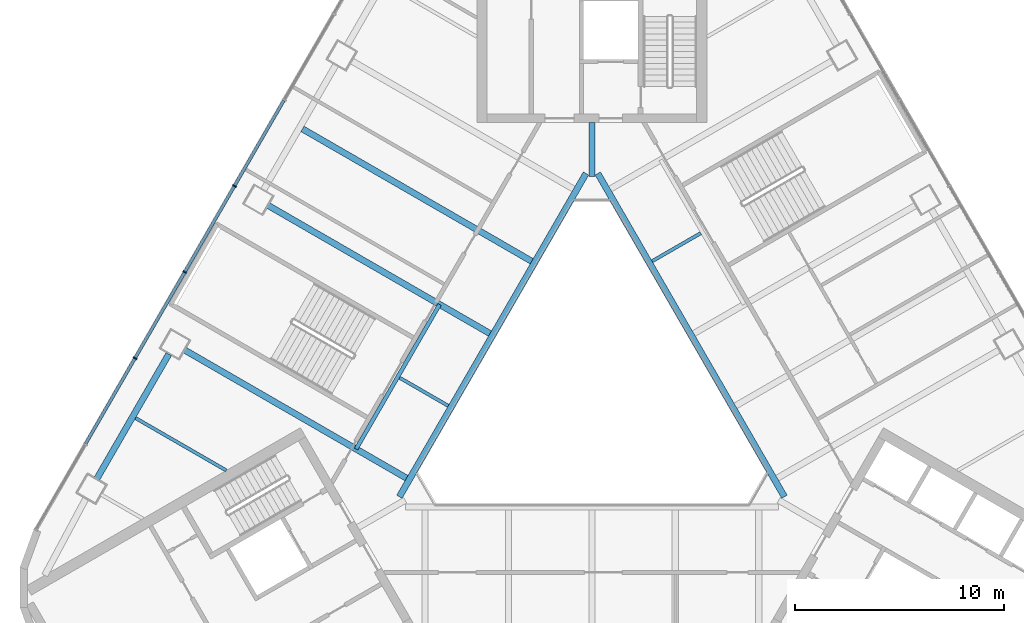
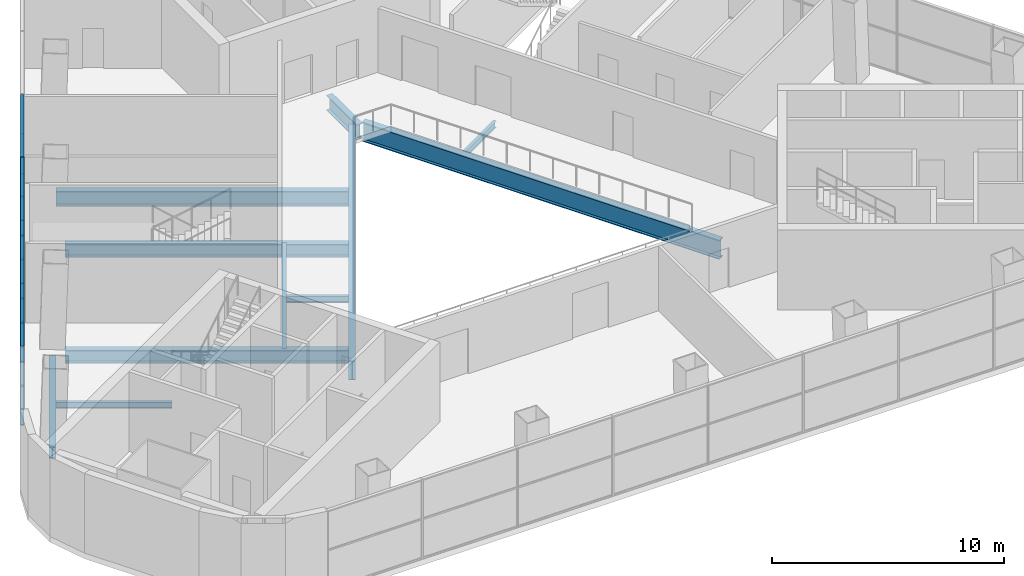
# One storey, part 3 of 12: 15 members, 11 beams, 1 element without a shape of its own.
"""IFC4 building model written with IfcOpenShell, lengths in metres."""

from ifc_helpers import new_model, si_unit, direction, frame, origin, origin_2d, place, context, subcontext, project, spatial, rectangle, i_section, extrude, material, layer, layer_set, material_profile, profile_set, type_object, element, aggregate, save


model = new_model("IFC4")

# Units and contexts
model_context = context("Model", 3, precision=1e-05, world=origin(), true_north=direction((0.0, 1.0)))
body_context = subcontext(model_context, "Body", "Model", "MODEL_VIEW")
ifc_project = project(units=[si_unit("LENGTHUNIT", "METRE"), si_unit("AREAUNIT", "SQUARE_METRE"), si_unit("VOLUMEUNIT", "CUBIC_METRE"), si_unit("PLANEANGLEUNIT", "RADIAN"), si_unit("MASSUNIT", "GRAM", prefix="KILO")], contexts=[model_context])

# Site, building, storey
site_placement = place(None, origin())
site = spatial("IfcSite", under=ifc_project, at=site_placement, CompositionType="ELEMENT")
building_placement = place(site_placement, origin())
building = spatial("IfcBuilding", under=site, at=building_placement, Name="Apuvela Tower Hotel", CompositionType="ELEMENT")
storey_placement = place(building_placement, frame((0.0, 0.0, 28.5)))
storey = spatial("IfcBuildingStorey", under=building, at=storey_placement, Name="L04", CompositionType="ELEMENT", Elevation=28.5)

# Curtain wall, members
ifc_material_1 = material(Name="Aluminium 6063-T6, dark bronze anodised", Category="aluminium")
ifc_layer = layer(ifc_material_1, 0.199951171875)
ifc_layer_set = layer_set([ifc_layer], Name="ENV-CW-P")
curtain_wall_type = type_object("IfcCurtainWallType", Name="ENV-CW-P", PredefinedType="NOTDEFINED", material=ifc_layer_set)
curtain_wall_placement = place(storey_placement, origin())
curtain_wall = element("IfcCurtainWall", 1, at=curtain_wall_placement, inside=storey, type_object=curtain_wall_type, Name="Curtain wall CW-P NW L04", PredefinedType="NOTDEFINED")
ifc_material_profile_1 = material_profile(ifc_material_1, rectangle(XDim=0.199951171875, YDim=0.06494140625, at=origin_2d()), Name="AL 65x200")
ifc_profile_set_1 = profile_set([ifc_material_profile_1], Name="Aluminium 6063-T6, dark bronze anodised")
member_type_1 = type_object("IfcMemberType", Name="ENV-MULLION-65x200", PredefinedType="MULLION", material=ifc_profile_set_1)
member_1_placement = place(storey_placement, frame((-17.072998046875, 9.857177734375, 0.0), z_axis=(0.0, 0.0, 1.0), x_axis=(0.866024428615, -0.500001689039, 0.0)))
member_1 = element("IfcMember", 2, at=member_1_placement, type_object=member_type_1, Name="CW-P mullion 5", PredefinedType="MULLION", context=body_context, shape_type="SweptSolid", body=[
    extrude(rectangle(XDim=0.199951171875, YDim=0.06494140625, at=origin_2d()), origin(), (0.0, 0.0, 1.0), 4.199951171875),
])
member_2_placement = place(storey_placement, frame((-19.447265625, 5.7451171875, 0.0), z_axis=(0.0, 0.0, 1.0), x_axis=(0.866024428615, -0.500001689039, 0.0)))
member_2 = element("IfcMember", 3, at=member_2_placement, type_object=member_type_1, Name="CW-P mullion 6", PredefinedType="MULLION", context=body_context, shape_type="SweptSolid", body=[
    extrude(rectangle(XDim=0.199951171875, YDim=0.06494140625, at=origin_2d()), origin(), (0.0, 0.0, 1.0), 4.199951171875),
])
member_3_placement = place(storey_placement, frame((-21.8212890625, 1.63330078125, 0.0), z_axis=(0.0, 0.0, 1.0), x_axis=(0.866024428615, -0.500001689039, 0.0)))
member_3 = element("IfcMember", 4, at=member_3_placement, type_object=member_type_1, Name="CW-P mullion 7", PredefinedType="MULLION", context=body_context, shape_type="SweptSolid", body=[
    extrude(rectangle(XDim=0.199951171875, YDim=0.06494140625, at=origin_2d()), origin(), (0.0, 0.0, 1.0), 4.199951171875),
])
ifc_material_profile_2 = material_profile(ifc_material_1, rectangle(XDim=0.14990234375, YDim=0.06494140625, at=origin_2d()), Name="AL 65x150 transom")
ifc_profile_set_2 = profile_set([ifc_material_profile_2], Name="Aluminium 6063-T6, dark bronze anodised")
member_type_2 = type_object("IfcMemberType", Name="ENV-TRANSOM-65x150", PredefinedType="USERDEFINED", material=ifc_profile_set_2)
member_4_placement = place(storey_placement, frame((-14.71533203125, 13.941162109375, 0.032470703125), z_axis=(-0.499979668266, -0.866037141998, 0.0), x_axis=(0.866037141998, -0.499979668266, 0.0)))
member_4 = element("IfcMember", 5, at=member_4_placement, type_object=member_type_2, Name="CW-P transom 4.1", ObjectType="TRANSOM", PredefinedType="USERDEFINED", context=body_context, shape_type="SweptSolid", body=[
    extrude(rectangle(XDim=0.14990234375, YDim=0.06494140625, at=origin_2d()), origin(), (0.0, 0.0, 1.0), 4.683349609375),
])
member_5_placement = place(storey_placement, frame((-14.71533203125, 13.941162109375, 2.10009765625), z_axis=(-0.499979668266, -0.866037141998, 0.0), x_axis=(0.866037141998, -0.499979668266, 0.0)))
member_5 = element("IfcMember", 6, at=member_5_placement, type_object=member_type_2, Name="CW-P transom 4.2", ObjectType="TRANSOM", PredefinedType="USERDEFINED", context=body_context, shape_type="SweptSolid", body=[
    extrude(rectangle(XDim=0.14990234375, YDim=0.06494140625, at=origin_2d()), origin(), (0.0, 0.0, 1.0), 4.683349609375),
])
member_6_placement = place(storey_placement, frame((-14.71533203125, 13.941162109375, 4.16748046875), z_axis=(-0.499979668266, -0.866037141998, 0.0), x_axis=(0.866037141998, -0.499979668266, 0.0)))
member_6 = element("IfcMember", 7, at=member_6_placement, type_object=member_type_2, Name="CW-P transom 4.3", ObjectType="TRANSOM", PredefinedType="USERDEFINED", context=body_context, shape_type="SweptSolid", body=[
    extrude(rectangle(XDim=0.14990234375, YDim=0.06494140625, at=origin_2d()), origin(), (0.0, 0.0, 1.0), 4.683349609375),
])
member_7_placement = place(storey_placement, frame((-17.08935546875, 9.8291015625, 0.032470703125), z_axis=(-0.500002241493, -0.866024109654, 0.0), x_axis=(0.866024109654, -0.500002241493, 0.0)))
member_7 = element("IfcMember", 8, at=member_7_placement, type_object=member_type_2, Name="CW-P transom 5.1", ObjectType="TRANSOM", PredefinedType="USERDEFINED", context=body_context, shape_type="SweptSolid", body=[
    extrude(rectangle(XDim=0.14990234375, YDim=0.06494140625, at=origin_2d()), origin(), (0.0, 0.0, 1.0), 4.68310546875),
])
member_8_placement = place(storey_placement, frame((-17.08935546875, 9.8291015625, 2.10009765625), z_axis=(-0.500002241493, -0.866024109654, 0.0), x_axis=(0.866024109654, -0.500002241493, 0.0)))
member_8 = element("IfcMember", 9, at=member_8_placement, type_object=member_type_2, Name="CW-P transom 5.2", ObjectType="TRANSOM", PredefinedType="USERDEFINED", context=body_context, shape_type="SweptSolid", body=[
    extrude(rectangle(XDim=0.14990234375, YDim=0.06494140625, at=origin_2d()), origin(), (0.0, 0.0, 1.0), 4.68310546875),
])
member_9_placement = place(storey_placement, frame((-17.08935546875, 9.8291015625, 4.16748046875), z_axis=(-0.500002241493, -0.866024109654, 0.0), x_axis=(0.866024109654, -0.500002241493, 0.0)))
member_9 = element("IfcMember", 10, at=member_9_placement, type_object=member_type_2, Name="CW-P transom 5.3", ObjectType="TRANSOM", PredefinedType="USERDEFINED", context=body_context, shape_type="SweptSolid", body=[
    extrude(rectangle(XDim=0.14990234375, YDim=0.06494140625, at=origin_2d()), origin(), (0.0, 0.0, 1.0), 4.68310546875),
])
member_10_placement = place(storey_placement, frame((-19.46337890625, 5.717041015625, 0.032470703125), z_axis=(-0.500002241493, -0.866024109654, 0.0), x_axis=(0.866024109654, -0.500002241493, 0.0)))
member_10 = element("IfcMember", 11, at=member_10_placement, type_object=member_type_2, Name="CW-P transom 6.1", ObjectType="TRANSOM", PredefinedType="USERDEFINED", context=body_context, shape_type="SweptSolid", body=[
    extrude(rectangle(XDim=0.14990234375, YDim=0.06494140625, at=origin_2d()), origin(), (0.0, 0.0, 1.0), 4.68310546875),
])
member_11_placement = place(storey_placement, frame((-19.46337890625, 5.717041015625, 2.10009765625), z_axis=(-0.500002241493, -0.866024109654, 0.0), x_axis=(0.866024109654, -0.500002241493, 0.0)))
member_11 = element("IfcMember", 12, at=member_11_placement, type_object=member_type_2, Name="CW-P transom 6.2", ObjectType="TRANSOM", PredefinedType="USERDEFINED", context=body_context, shape_type="SweptSolid", body=[
    extrude(rectangle(XDim=0.14990234375, YDim=0.06494140625, at=origin_2d()), origin(), (0.0, 0.0, 1.0), 4.68310546875),
])
member_12_placement = place(storey_placement, frame((-19.46337890625, 5.717041015625, 4.16748046875), z_axis=(-0.500002241493, -0.866024109654, 0.0), x_axis=(0.866024109654, -0.500002241493, 0.0)))
member_12 = element("IfcMember", 13, at=member_12_placement, type_object=member_type_2, Name="CW-P transom 6.3", ObjectType="TRANSOM", PredefinedType="USERDEFINED", context=body_context, shape_type="SweptSolid", body=[
    extrude(rectangle(XDim=0.14990234375, YDim=0.06494140625, at=origin_2d()), origin(), (0.0, 0.0, 1.0), 4.68310546875),
])
member_13_placement = place(storey_placement, frame((-21.83740234375, 1.60498046875, 0.032470703125), z_axis=(-0.500002241493, -0.866024109654, 0.0), x_axis=(0.866024109654, -0.500002241493, 0.0)))
member_13 = element("IfcMember", 14, at=member_13_placement, type_object=member_type_2, Name="CW-P transom 7.1", ObjectType="TRANSOM", PredefinedType="USERDEFINED", context=body_context, shape_type="SweptSolid", body=[
    extrude(rectangle(XDim=0.14990234375, YDim=0.06494140625, at=origin_2d()), origin(), (0.0, 0.0, 1.0), 4.68310546875),
])
member_14_placement = place(storey_placement, frame((-21.83740234375, 1.60498046875, 2.10009765625), z_axis=(-0.500002241493, -0.866024109654, 0.0), x_axis=(0.866024109654, -0.500002241493, 0.0)))
member_14 = element("IfcMember", 15, at=member_14_placement, type_object=member_type_2, Name="CW-P transom 7.2", ObjectType="TRANSOM", PredefinedType="USERDEFINED", context=body_context, shape_type="SweptSolid", body=[
    extrude(rectangle(XDim=0.14990234375, YDim=0.06494140625, at=origin_2d()), origin(), (0.0, 0.0, 1.0), 4.68310546875),
])
member_15_placement = place(storey_placement, frame((-21.83740234375, 1.60498046875, 4.16748046875), z_axis=(-0.500002241493, -0.866024109654, 0.0), x_axis=(0.866024109654, -0.500002241493, 0.0)))
member_15 = element("IfcMember", 16, at=member_15_placement, type_object=member_type_2, Name="CW-P transom 7.3", ObjectType="TRANSOM", PredefinedType="USERDEFINED", context=body_context, shape_type="SweptSolid", body=[
    extrude(rectangle(XDim=0.14990234375, YDim=0.06494140625, at=origin_2d()), origin(), (0.0, 0.0, 1.0), 4.68310546875),
])
aggregate(curtain_wall, [member_1, member_2, member_3, member_4, member_5, member_6, member_7, member_8, member_9, member_10, member_11, member_12, member_13, member_14, member_15])

# Beams
ifc_material_2 = material(Name="Steel S355", Category="steel")
ifc_material_profile_3 = material_profile(ifc_material_2, i_section(OverallWidth=0.300048828125, OverallDepth=0.68994140625, WebThickness=0.014404296875, FlangeThickness=0.027099609375, at=origin_2d()), Name="HE 700 A")
ifc_profile_set_3 = profile_set([ifc_material_profile_3], Name="Steel S355")
beam_type_1 = type_object("IfcBeamType", Name="STR-B floor beam HE 700 A", PredefinedType="BEAM", material=ifc_profile_set_3)
for number, where, z_axis, x_axis, name in (
    (17, (-15.470947265625, 8.93212890625, -0.64501953125), (0.866025514229, -0.499999808704, 0.0), (0.499999808704, 0.866025514229, 0.0), "Floor beam B6 NW5"),
    (18, (-19.4580078125, 2.0263671875, -0.64501953125), (0.866025514229, -0.499999808704, 0.0), (0.499999808704, 0.866025514229, 0.0), "Floor beam B6 NW7"),
):
    element("IfcBeam", number, at=place(storey_placement, frame(where, z_axis=z_axis, x_axis=x_axis)), inside=storey, type_object=beam_type_1, Name=name, PredefinedType="BEAM", context=body_context, shape_type="SweptSolid", body=[
        extrude(i_section(OverallWidth=0.300048828125, OverallDepth=0.68994140625, WebThickness=0.014404296875, FlangeThickness=0.027099609375, at=origin_2d()), origin(), (0.0, 0.0, 1.0), 12.2421875),
    ])
ifc_material_profile_4 = material_profile(ifc_material_2, i_section(OverallWidth=0.300048828125, OverallDepth=0.7900390625, WebThickness=0.014892578125, FlangeThickness=0.028076171875, at=origin_2d()), Name="HE 800 A")
ifc_profile_set_4 = profile_set([ifc_material_profile_4], Name="Steel S355")
beam_type_2 = type_object("IfcBeamType", Name="STR-B floor beam HE 800 A", PredefinedType="BEAM", material=ifc_profile_set_4)
beam_1_placement = place(storey_placement, frame((-13.82373046875, 12.585205078125, -0.695068359375), z_axis=(0.866019323, -0.50001053208, 0.0), x_axis=(0.50001053208, 0.866019323, 0.0)))
element("IfcBeam", 19, at=beam_1_placement, inside=storey, type_object=beam_type_2, Name="Floor beam B5 NW4", PredefinedType="BEAM", context=body_context, shape_type="SweptSolid", body=[
    extrude(i_section(OverallWidth=0.300048828125, OverallDepth=0.7900390625, WebThickness=0.014892578125, FlangeThickness=0.028076171875, at=origin_2d()), origin(), (0.0, 0.0, 1.0), 12.642333984375),
])
ifc_material_profile_5 = material_profile(ifc_material_2, i_section(OverallWidth=0.159912109375, OverallDepth=0.330078125, WebThickness=0.007568359375, FlangeThickness=0.011474609375, at=origin_2d()), Name="IPE 330")
ifc_profile_set_5 = profile_set([ifc_material_profile_5], Name="Steel S355")
beam_type_3 = type_object("IfcBeamType", Name="STR-B floor beam IPE 330", PredefinedType="BEAM", material=ifc_profile_set_5)
for number, where, z_axis, x_axis, name in (
    (20, (5.194580078125, 7.602783203125, -0.465087890625), (-0.866058069904, -0.499943416353, 0.0), (0.499943416353, -0.866058069904, 0.0), "Floor beam B1 NE6"),
    (21, (-9.181640625, 0.697021484375, -0.465087890625), (0.866058069904, -0.499943416353, 0.0), (0.499943416353, 0.866058069904, 0.0), "Floor beam B1 NW6"),
):
    element("IfcBeam", number, at=place(storey_placement, frame(where, z_axis=z_axis, x_axis=x_axis)), inside=storey, type_object=beam_type_3, Name=name, PredefinedType="BEAM", context=body_context, shape_type="SweptSolid", body=[
        extrude(i_section(OverallWidth=0.159912109375, OverallDepth=0.330078125, WebThickness=0.007568359375, FlangeThickness=0.011474609375, at=origin_2d()), origin(), (0.0, 0.0, 1.0), 2.677978515625),
    ])
beam_2_placement = place(storey_placement, frame((-21.798095703125, -1.2265625, -0.465087890625), z_axis=(0.866026463129, -0.499998165157, 0.0), x_axis=(0.499998165157, 0.866026463129, 0.0)))
element("IfcBeam", 22, at=beam_2_placement, inside=storey, type_object=beam_type_3, Name="Floor beam B1 NW8", PredefinedType="BEAM", context=body_context, shape_type="SweptSolid", body=[
    extrude(i_section(OverallWidth=0.159912109375, OverallDepth=0.330078125, WebThickness=0.007568359375, FlangeThickness=0.011474609375, at=origin_2d()), origin(), (0.0, 0.0, 1.0), 5.0078125),
])
ifc_material_profile_6 = material_profile(ifc_material_2, i_section(OverallWidth=0.302001953125, OverallDepth=1.008056640625, WebThickness=0.02099609375, FlangeThickness=0.0400390625, at=origin_2d()), Name="HE 1000 M")
ifc_profile_set_6 = profile_set([ifc_material_profile_6], Name="Steel S355")
beam_type_4 = type_object("IfcBeamType", Name="STR-G atrium ring girder HE 1000 M", PredefinedType="BEAM", material=ifc_profile_set_6)
for number, where, z_axis, x_axis, name in (
    (23, (-0.28076171875, 10.455810546875, -0.803955078125), (-0.500000611842, -0.866025050537, 0.0), (0.866025050537, -0.500000611842, 0.0), "Atrium ring girder G1 N-SW"),
    (24, (9.1953125, -4.984619140625, -0.803955078125), (-0.500000611842, 0.866025050537, 0.0), (-0.866025050537, -0.500000611842, 0.0), "Atrium ring girder G1 SE-N"),
):
    element("IfcBeam", number, at=place(storey_placement, frame(where, z_axis=z_axis, x_axis=x_axis)), inside=storey, type_object=beam_type_4, Name=name, PredefinedType="BEAM", context=body_context, shape_type="SweptSolid", body=[
        extrude(i_section(OverallWidth=0.302001953125, OverallDepth=1.008056640625, WebThickness=0.02099609375, FlangeThickness=0.0400390625, at=origin_2d()), origin(), (0.0, 0.0, 1.0), 17.8291015625),
    ])
ifc_material_profile_7 = material_profile(ifc_material_2, i_section(OverallWidth=0.300048828125, OverallDepth=0.800048828125, WebThickness=0.017578125, FlangeThickness=0.032958984375, at=origin_2d()), Name="HE 800 B")
ifc_profile_set_7 = profile_set([ifc_material_profile_7], Name="Steel S355")
beam_type_5 = type_object("IfcBeamType", Name="STR-GT core tie beam HE 800 B", PredefinedType="BEAM", material=ifc_profile_set_7)
beam_3_placement = place(storey_placement, frame((0.0, 12.89990234375, -0.699951171875), z_axis=(0.0, -1.0, 0.0), x_axis=(1.0, 0.0, 0.0)))
element("IfcBeam", 25, at=beam_3_placement, inside=storey, type_object=beam_type_5, Name="Core tie beam GT1 N", PredefinedType="BEAM", context=body_context, shape_type="SweptSolid", body=[
    extrude(i_section(OverallWidth=0.300048828125, OverallDepth=0.800048828125, WebThickness=0.017578125, FlangeThickness=0.032958984375, at=origin_2d()), origin(), (0.0, 0.0, 1.0), 2.599853515625),
])
ifc_material_profile_8 = material_profile(ifc_material_2, i_section(OverallWidth=0.300048828125, OverallDepth=0.60009765625, WebThickness=0.015380859375, FlangeThickness=0.030029296875, at=origin_2d()), Name="HE 600 B")
ifc_profile_set_8 = profile_set([ifc_material_profile_8], Name="Steel S355")
beam_type_6 = type_object("IfcBeamType", Name="STR-SB spandrel beam HE 600 B", PredefinedType="SPANDREL", material=ifc_profile_set_8)
beam_4_placement = place(storey_placement, frame((-20.20947265625, 1.824951171875, -0.60009765625), z_axis=(-0.499997097509, -0.866027079532, 0.0), x_axis=(0.866027079532, -0.499997097509, 0.0)))
element("IfcBeam", 26, at=beam_4_placement, inside=storey, type_object=beam_type_6, Name="Spandrel beam SB1 NW4", PredefinedType="SPANDREL", context=body_context, shape_type="SweptSolid", body=[
    extrude(i_section(OverallWidth=0.300048828125, OverallDepth=0.60009765625, WebThickness=0.015380859375, FlangeThickness=0.030029296875, at=origin_2d()), origin(), (0.0, 0.0, 1.0), 6.8740234375),
])
ifc_material_profile_9 = material_profile(ifc_material_2, i_section(OverallWidth=0.18994140625, OverallDepth=0.449951171875, WebThickness=0.009521484375, FlangeThickness=0.0146484375, at=origin_2d()), Name="IPE 450")
ifc_profile_set_9 = profile_set([ifc_material_profile_9], Name="Steel S355")
beam_type_7 = type_object("IfcBeamType", Name="STR-TB stair trimmer beam IPE 450", PredefinedType="BEAM", material=ifc_profile_set_9)
beam_5_placement = place(storey_placement, frame((-7.274658203125, 4.199951171875, -0.52490234375), z_axis=(-0.500001613937, -0.866024471975, 0.0), x_axis=(0.866024471975, -0.500001613937, 0.0)))
element("IfcBeam", 27, at=beam_5_placement, inside=storey, type_object=beam_type_7, Name="Stair trimmer beam TB3 PS2", PredefinedType="BEAM", context=body_context, shape_type="SweptSolid", body=[
    extrude(i_section(OverallWidth=0.18994140625, OverallDepth=0.449951171875, WebThickness=0.009521484375, FlangeThickness=0.0146484375, at=origin_2d()), origin(), (0.0, 0.0, 1.0), 7.97412109375),
])

save(model, "model.ifc")
